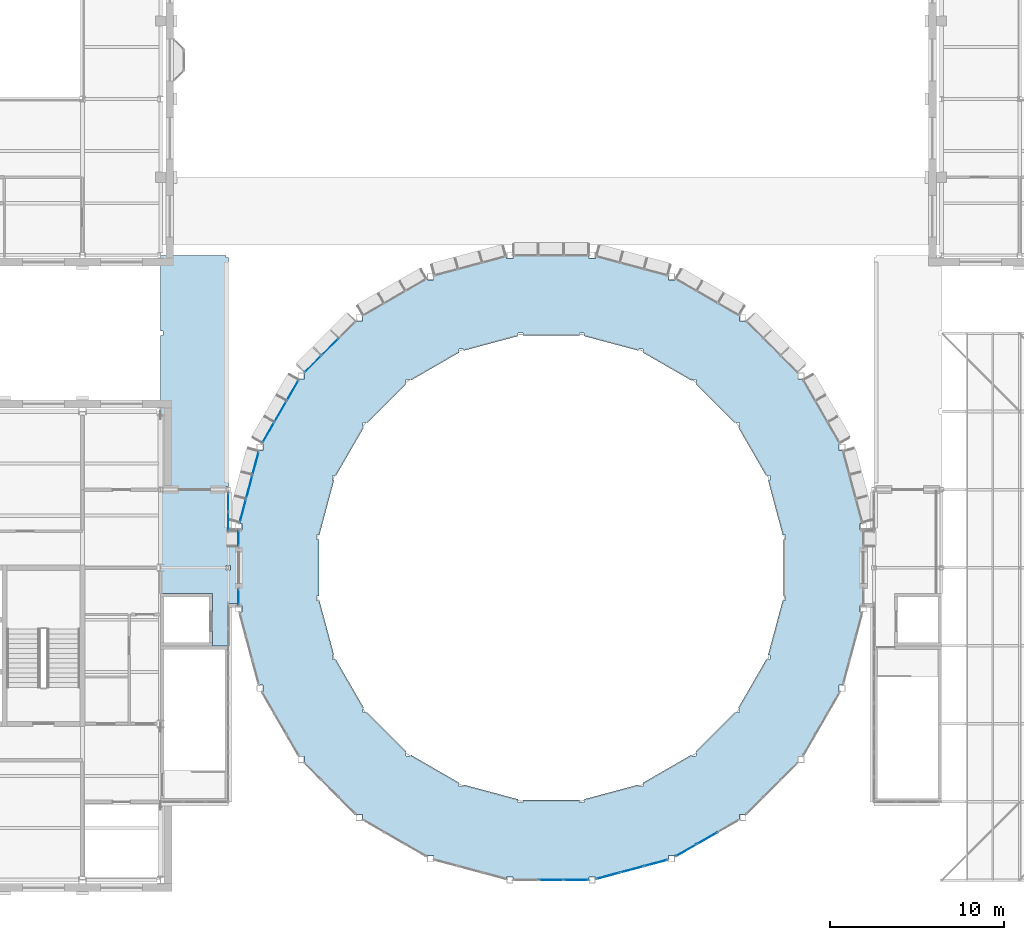
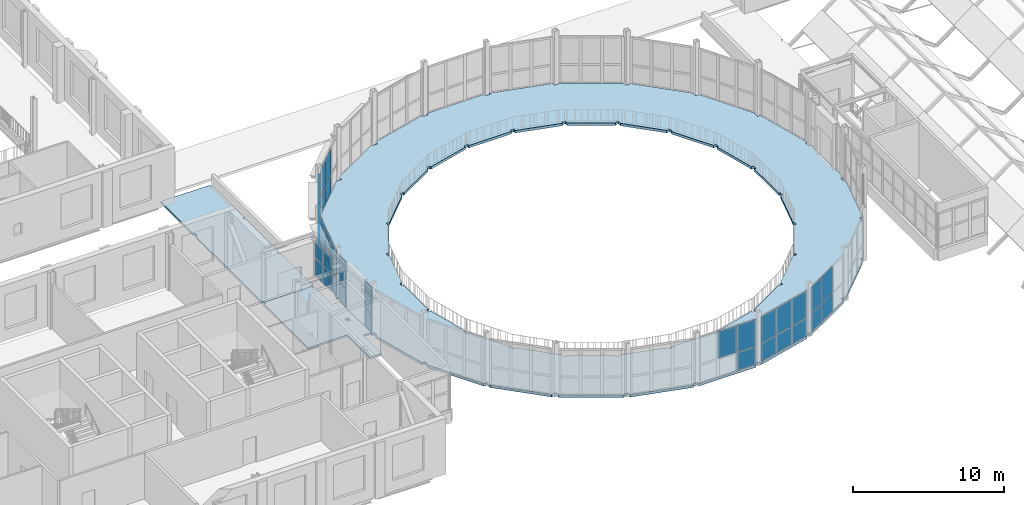
# One storey, part 31 of 74: 37 plates, 3 slabs, 9 elements without a shape of their own.
"""IFC4 building model written with IfcOpenShell, lengths in metres."""

import ifcopenshell
import ifcopenshell.guid

model = None  # the IFC model being written
_history = None  # IfcOwnerHistory: only IFC2X3 demands one
_inside = {}  # id of a spatial element -> (the spatial element, [elements in it])
_under = {}  # id of a project, library or spatial element -> (it, [spatial elements below it])
_declared = {}  # id of a project -> (the project, [libraries it declares])
_typed = {}  # id of a type object -> (the type object, [elements of that type])
_made_of = {}  # id of a material, layer set ... -> (it, [elements and type objects made of it])


def new_model(schema):
    """Start an empty IFC model of exactly this schema.

    Asked for "IFC4X3", IfcOpenShell would pick the latest addendum, in which some entities
    have other attributes; the version numbers below select the first issue.
    IFC2X3 requires an IfcOwnerHistory on every rooted entity: one is made here for all.
    """
    global model, _history
    if schema == "IFC4X3":
        model = ifcopenshell.file(schema_version=(4, 3, 0, 0))
    else:
        model = ifcopenshell.file(schema=schema)
    _inside.clear()
    _under.clear()
    _declared.clear()
    _typed.clear()
    _made_of.clear()
    _history = None
    if model.schema == "IFC2X3":
        org = make("IfcOrganization", Name="unknown")
        user = make(
            "IfcPersonAndOrganization",
            ThePerson=make("IfcPerson", FamilyName="unknown"),
            TheOrganization=org,
        )
        app = make(
            "IfcApplication",
            ApplicationDeveloper=org,
            Version="unknown",
            ApplicationFullName="unknown",
            ApplicationIdentifier="unknown",
        )
        _history = make(
            "IfcOwnerHistory",
            OwningUser=user,
            OwningApplication=app,
            ChangeAction="ADDED",
            CreationDate=0,
        )
    return model


def make(cls, **values):
    """One entity of the class cls with the attributes given. An attribute that is None is left unset."""
    return model.create_entity(
        cls, **{name: value for name, value in values.items() if value is not None}
    )


def rooted(cls, **values):
    """An entity with a GlobalId (a new one), such as an element, a storey or a relation."""
    return make(cls, GlobalId=ifcopenshell.guid.new(), OwnerHistory=_history, **values)


def si_unit(unit_type, name, prefix=None):
    """IfcSIUnit, for example si_unit("LENGTHUNIT", "METRE", prefix="MILLI")."""
    return make("IfcSIUnit", UnitType=unit_type, Prefix=prefix, Name=name)


def assignment(units):
    """IfcUnitAssignment: the units of a project."""
    return None if units is None else make("IfcUnitAssignment", Units=units)


def point(xyz):
    """IfcCartesianPoint."""
    return None if xyz is None else make("IfcCartesianPoint", Coordinates=xyz)


def direction(xyz):
    """IfcDirection."""
    return None if xyz is None else make("IfcDirection", DirectionRatios=xyz)


def frame(location, z_axis=None, x_axis=None):
    """IfcAxis2Placement3D, a coordinate frame: its origin and axes. An axis left out is left unset."""
    return make(
        "IfcAxis2Placement3D",
        Location=point(location),
        Axis=direction(z_axis),
        RefDirection=direction(x_axis),
    )


def frame_2d(location, x_axis=None):
    """IfcAxis2Placement2D, a coordinate frame in the plane: its origin and x axis."""
    return make(
        "IfcAxis2Placement2D", Location=point(location), RefDirection=direction(x_axis)
    )


def origin():
    """The frame at (0, 0, 0) with its axes left unset."""
    return frame((0.0, 0.0, 0.0))


def origin_2d():
    """The frame at (0, 0) in the plane with its x axis left unset."""
    return frame_2d((0.0, 0.0))


def place(relative_to, where):
    """IfcLocalPlacement: puts the frame where relative to a parent placement (None: the world)."""
    return make(
        "IfcLocalPlacement", PlacementRelTo=relative_to, RelativePlacement=where
    )


def context(
    kind, dimensions, precision=None, world=None, true_north=None, identifier=None
):
    """IfcGeometricRepresentationContext, for example the 3D "Model" context."""
    return make(
        "IfcGeometricRepresentationContext",
        ContextIdentifier=identifier,
        ContextType=kind,
        CoordinateSpaceDimension=dimensions,
        Precision=precision,
        WorldCoordinateSystem=world,
        TrueNorth=true_north,
    )


def subcontext(parent, identifier, kind, view, scale=None):
    """IfcGeometricRepresentationSubContext, for example "Body" below "Model"."""
    return make(
        "IfcGeometricRepresentationSubContext",
        ContextIdentifier=identifier,
        ContextType=kind,
        ParentContext=parent,
        TargetScale=scale,
        TargetView=view,
    )


def project(units=None, contexts=None):
    """IfcProject with its units and contexts."""
    return rooted(
        "IfcProject",
        Name="project",
        RepresentationContexts=contexts,
        UnitsInContext=assignment(units),
    )


def spatial(cls, under=None, at=None, **own):
    """A site, building, storey or space (cls), placed at a placement, below another one or the project."""
    s = rooted(cls, ObjectPlacement=at, **own)
    if under is not None:
        _under.setdefault(under.id(), (under, []))[1].append(s)
    return s


def polyline(points):
    """IfcPolyline through the points."""
    return make("IfcPolyline", Points=[point(p) for p in points])


def profile(cls, at=None, kind="AREA", **sizes):
    """A parametric profile (cls). Its sizes go by their IFC names, for example OverallWidth=200.0."""
    return make(cls, ProfileType=kind, Position=at, **sizes)


def rectangle(**sizes):
    """IfcRectangleProfileDef."""
    return profile("IfcRectangleProfileDef", **sizes)


def outline(outer, holes=None, kind="AREA"):
    """IfcArbitraryClosedProfileDef: a profile drawn as a closed curve; with holes, ...WithVoids."""
    if holes is None:
        return make("IfcArbitraryClosedProfileDef", ProfileType=kind, OuterCurve=outer)
    return make(
        "IfcArbitraryProfileDefWithVoids",
        ProfileType=kind,
        OuterCurve=outer,
        InnerCurves=holes,
    )


def extrude(swept, where, along, depth):
    """IfcExtrudedAreaSolid: the profile swept, set in the frame where, extruded along a direction by depth."""
    return make(
        "IfcExtrudedAreaSolid",
        SweptArea=swept,
        Position=where,
        ExtrudedDirection=direction(along),
        Depth=depth,
    )


def shape(context_of_items, identifier, shape_type, items):
    """IfcShapeRepresentation: the items that make up one representation, for example the "Body"."""
    return make(
        "IfcShapeRepresentation",
        ContextOfItems=context_of_items,
        RepresentationIdentifier=identifier,
        RepresentationType=shape_type,
        Items=items,
    )


def material(Name=None, Category=None):
    """IfcMaterial."""
    return make("IfcMaterial", Name=Name, Category=Category)


def layer(
    of_material, thickness, ventilated=None, Name=None, Category=None, Priority=None
):
    """IfcMaterialLayer: one layer of a wall or slab, of a material (None: an air gap)."""
    return make(
        "IfcMaterialLayer",
        Material=of_material,
        LayerThickness=thickness,
        IsVentilated=ventilated,
        Name=Name,
        Category=Category,
        Priority=Priority,
    )


def layer_set(layers, Name=None):
    """IfcMaterialLayerSet."""
    return make("IfcMaterialLayerSet", MaterialLayers=layers, LayerSetName=Name)


def made_of(thing, what):
    """Note that an element or type object is made of a material, layer set ...; save() writes the relation."""
    if what is not None:
        _made_of.setdefault(what.id(), (what, []))[1].append(thing)
    return thing


def type_object(cls, material=None, **own):
    """A type object (cls), such as IfcWallType, which elements share."""
    return made_of(rooted(cls, **own), material)


def element(
    cls,
    number,
    at=None,
    inside=None,
    cuts=None,
    type_object=None,
    material=None,
    context=None,
    identifier="Body",
    shape_type=None,
    held_by="IfcProductDefinitionShape",
    body=None,
    shapes=None,
    **own,
):
    """One element of the class cls, such as IfcWall. Its Tag is "e" and its number.

    at: its placement. inside: the storey or other place that contains it. cuts: it is an
    opening in that element (IfcRelVoidsElement). A single representation is given by context,
    identifier, shape_type and body (its items); several are given by shapes. held_by: the class
    of the entity that holds the representations. save() writes the other relations.
    """
    e = rooted(cls, Tag="e%d" % number, ObjectPlacement=at, **own)
    if body is not None:
        shapes = [shape(context, identifier, shape_type, body)]
    if shapes is not None:
        e.Representation = make(held_by, Representations=shapes)
    if inside is not None:
        _inside.setdefault(inside.id(), (inside, []))[1].append(e)
    if cuts is not None:
        rooted(
            "IfcRelVoidsElement", RelatingBuildingElement=cuts, RelatedOpeningElement=e
        )
    if type_object is not None:
        _typed.setdefault(type_object.id(), (type_object, []))[1].append(e)
    return made_of(e, material)


def aggregate(whole, parts):
    """IfcRelAggregates: a whole, such as a stair, and the parts it consists of."""
    return rooted("IfcRelAggregates", RelatingObject=whole, RelatedObjects=parts)


def save(model, path):
    """Write the relations noted so far, then the file.

    IfcRelAggregates (storeys below a building ...), IfcRelContainedInSpatialStructure (elements
    in a storey), IfcRelDefinesByType, IfcRelAssociatesMaterial and IfcRelDeclares: one each for
    every whole, place, type object, material and project.
    """
    for whole, parts in _under.values():
        aggregate(whole, parts)
    for where, things in _inside.values():
        rooted(
            "IfcRelContainedInSpatialStructure",
            RelatedElements=things,
            RelatingStructure=where,
        )
    for kind, things in _typed.values():
        rooted("IfcRelDefinesByType", RelatedObjects=things, RelatingType=kind)
    for what, things in _made_of.values():
        rooted("IfcRelAssociatesMaterial", RelatedObjects=things, RelatingMaterial=what)
    for by, libraries in _declared.values():
        rooted("IfcRelDeclares", RelatingContext=by, RelatedDefinitions=libraries)
    model.write(path)


model = new_model("IFC4")

# Units and contexts
model_context = context("Model", 3, precision=1e-05, world=origin(), true_north=direction((0.0, 1.0)))
body_context = subcontext(model_context, "Body", "Model", "MODEL_VIEW")
ifc_project = project(units=[si_unit("LENGTHUNIT", "METRE"), si_unit("AREAUNIT", "SQUARE_METRE"), si_unit("VOLUMEUNIT", "CUBIC_METRE"), si_unit("PLANEANGLEUNIT", "RADIAN"), si_unit("MASSUNIT", "GRAM", prefix="KILO")], contexts=[model_context])

# Site, building, storey
site_placement = place(None, origin())
site = spatial("IfcSite", under=ifc_project, at=site_placement, CompositionType="ELEMENT")
building_placement = place(site_placement, origin())
building = spatial("IfcBuilding", under=site, at=building_placement, Name="Hortulan Conservatory and Botanical Research Centre", CompositionType="ELEMENT")
storey_placement = place(building_placement, frame((0.0, 0.0, 6.0)))
storey = spatial("IfcBuildingStorey", under=building, at=storey_placement, Name="L01", CompositionType="ELEMENT", Elevation=6.0)

# Slabs
ifc_material_1 = material(Name="Concrete N40 (40 MPa, AS 3600)", Category="concrete")
ifc_layer_1 = layer(ifc_material_1, 0.199951171875)
ifc_layer_set_1 = layer_set([ifc_layer_1], Name="Dome Canopy Walk Slab 200")
slab_type_1 = type_object("IfcSlabType", Name="Dome Canopy Walk Slab 200", PredefinedType="FLOOR", material=ifc_layer_set_1)
slab_1_placement = place(storey_placement, frame((0.0, 0.0, -0.199951171875)))
element("IfcSlab", 1, at=slab_1_placement, inside=storey, type_object=slab_type_1, Name="Canopy walk slab 1", PredefinedType="FLOOR", context=body_context, shape_type="SweptSolid", body=[
    extrude(outline(polyline([(70.822998046875, 11.2373046875), (70.58837890625, 11.2373046875), (70.58837890625, 10.8671875), (70.66650390625, 10.8671875), (68.510498046875, 7.1328125), (68.218505859375, 7.1328125), (68.218505859375, 6.7626953125), (65.2373046875, 3.781494140625), (64.8671875, 3.781494140625), (64.8671875, 3.489501953125), (61.1328125, 1.33349609375), (61.1328125, 1.41162109375), (60.7626953125, 1.41162109375), (60.7626953125, 1.177001953125), (56.5546875, 0.049560546875), (56.5546875, 0.18505859375), (56.184814453125, 0.18505859375), (56.184814453125, 0.0), (51.815185546875, 0.0), (51.815185546875, 0.18505859375), (51.4453125, 0.18505859375), (51.4453125, 0.049560546875), (47.2373046875, 1.177001953125), (47.2373046875, 1.41162109375), (46.8671875, 1.41162109375), (46.8671875, 1.33349609375), (43.1328125, 3.489501953125), (43.1328125, 3.781494140625), (42.7626953125, 3.781494140625), (42.7626953125, 3.781494140625), (39.781494140625, 6.7626953125), (39.781494140625, 7.1328125), (39.489501953125, 7.1328125), (37.33349609375, 10.8671875), (37.41162109375, 10.8671875), (37.41162109375, 11.2373046875), (37.177001953125, 11.2373046875), (36.049560546875, 15.4453125), (36.18505859375, 15.4453125), (36.18505859375, 15.815185546875), (36.0, 15.815185546875), (36.0, 20.184814453125), (36.18505859375, 20.184814453125), (36.18505859375, 20.5546875), (36.049560546875, 20.5546875), (37.177001953125, 24.7626953125), (37.41162109375, 24.7626953125), (37.41162109375, 25.1328125), (37.33349609375, 25.1328125), (39.489501953125, 28.8671875), (39.781494140625, 28.8671875), (39.781494140625, 29.2373046875), (42.7626953125, 32.218505859375), (43.1328125, 32.218505859375), (43.1328125, 32.510498046875), (46.8671875, 34.66650390625), (46.8671875, 34.58837890625), (47.2373046875, 34.58837890625), (47.2373046875, 34.822998046875), (51.4453125, 35.950439453125), (51.4453125, 35.81494140625), (51.815185546875, 35.81494140625), (51.815185546875, 36.0), (56.184814453125, 36.0), (56.184814453125, 35.81494140625), (56.5546875, 35.81494140625), (56.5546875, 35.950439453125), (60.7626953125, 34.822998046875), (60.7626953125, 34.58837890625), (61.1328125, 34.58837890625), (61.1328125, 34.66650390625), (64.8671875, 32.510498046875), (64.8671875, 32.218505859375), (65.2373046875, 32.218505859375), (68.218505859375, 29.2373046875), (68.218505859375, 28.8671875), (68.510498046875, 28.8671875), (70.66650390625, 25.1328125), (70.58837890625, 25.1328125), (70.58837890625, 24.7626953125), (70.822998046875, 24.7626953125), (71.950439453125, 20.5546875), (71.81494140625, 20.5546875), (71.81494140625, 20.184814453125), (72.0, 20.184814453125), (72.0, 15.815185546875), (71.81494140625, 15.815185546875), (71.81494140625, 15.4453125), (71.950439453125, 15.4453125), (70.822998046875, 11.2373046875)]), holes=[polyline([(64.7880859375, 26.083251953125), (64.84521484375, 26.083251953125), (64.84521484375, 26.353271484375), (64.5751953125, 26.353271484375), (62.353271484375, 28.5751953125), (62.353271484375, 28.84521484375), (62.083251953125, 28.84521484375), (62.083251953125, 28.7880859375), (59.30126953125, 30.39453125), (59.30126953125, 30.607421875), (59.03125, 30.607421875), (59.03125, 30.508544921875), (55.897216796875, 31.348388671875), (55.897216796875, 31.51953125), (55.627197265625, 31.51953125), (55.627197265625, 31.384521484375), (52.372802734375, 31.384521484375), (52.372802734375, 31.51953125), (52.102783203125, 31.51953125), (52.102783203125, 31.348388671875), (48.96875, 30.508544921875), (48.96875, 30.607421875), (48.69873046875, 30.607421875), (48.69873046875, 30.39453125), (45.916748046875, 28.7880859375), (45.916748046875, 28.84521484375), (45.646728515625, 28.84521484375), (45.646728515625, 28.5751953125), (43.4248046875, 26.353271484375), (43.4248046875, 26.353271484375), (43.15478515625, 26.353271484375), (43.15478515625, 26.083251953125), (43.2119140625, 26.083251953125), (41.60546875, 23.30126953125), (41.392578125, 23.30126953125), (41.392578125, 23.03125), (41.491455078125, 23.03125), (40.651611328125, 19.897216796875), (40.48046875, 19.897216796875), (40.48046875, 19.627197265625), (40.615478515625, 19.627197265625), (40.615478515625, 16.372802734375), (40.48046875, 16.372802734375), (40.48046875, 16.102783203125), (40.651611328125, 16.102783203125), (41.491455078125, 12.96875), (41.392578125, 12.96875), (41.392578125, 12.69873046875), (41.60546875, 12.69873046875), (43.2119140625, 9.916748046875), (43.15478515625, 9.916748046875), (43.15478515625, 9.646728515625), (43.4248046875, 9.646728515625), (43.4248046875, 9.646728515625), (45.646728515625, 7.4248046875), (45.646728515625, 7.15478515625), (45.916748046875, 7.15478515625), (45.916748046875, 7.2119140625), (48.69873046875, 5.60546875), (48.69873046875, 5.392578125), (48.96875, 5.392578125), (48.96875, 5.491455078125), (52.102783203125, 4.651611328125), (52.102783203125, 4.48046875), (52.372802734375, 4.48046875), (52.372802734375, 4.615478515625), (55.627197265625, 4.615478515625), (55.627197265625, 4.48046875), (55.897216796875, 4.48046875), (55.897216796875, 4.651611328125), (59.03125, 5.491455078125), (59.03125, 5.392578125), (59.30126953125, 5.392578125), (59.30126953125, 5.60546875), (62.083251953125, 7.2119140625), (62.083251953125, 7.15478515625), (62.353271484375, 7.15478515625), (62.353271484375, 7.4248046875), (64.5751953125, 9.646728515625), (64.84521484375, 9.646728515625), (64.84521484375, 9.916748046875), (64.7880859375, 9.916748046875), (66.39453125, 12.69873046875), (66.607421875, 12.69873046875), (66.607421875, 12.96875), (66.508544921875, 12.96875), (67.348388671875, 16.102783203125), (67.51953125, 16.102783203125), (67.51953125, 16.372802734375), (67.384521484375, 16.372802734375), (67.384521484375, 19.627197265625), (67.51953125, 19.627197265625), (67.51953125, 19.897216796875), (67.348388671875, 19.897216796875), (66.508544921875, 23.03125), (66.607421875, 23.03125), (66.607421875, 23.30126953125), (66.39453125, 23.30126953125), (64.7880859375, 26.083251953125)])]), origin(), (0.0, 0.0, 1.0), 0.199951171875),
])
ifc_layer_2 = layer(ifc_material_1, 0.14990234375)
ifc_layer_set_2 = layer_set([ifc_layer_2], Name="Head Link Floor Slab 150")
slab_type_2 = type_object("IfcSlabType", Name="Head Link Floor Slab 150", PredefinedType="FLOOR", material=ifc_layer_set_2)
slab_2_placement = place(storey_placement, frame((0.0, 0.0, -0.14990234375)))
element("IfcSlab", 2, at=slab_2_placement, inside=storey, type_object=slab_type_2, Name="HW floor slab 1", PredefinedType="FLOOR", context=body_context, shape_type="SweptSolid", body=[
    extrude(outline(polyline([(35.39990234375, 20.069580078125), (36.0, 20.069580078125), (36.0, 15.930419921875), (35.39990234375, 15.930419921875), (35.39990234375, 13.5), (34.5, 13.5), (34.5, 16.5), (31.5, 16.5), (31.5, 22.364990234375), (31.635009765625, 22.364990234375), (31.635009765625, 22.5), (35.264892578125, 22.5), (35.264892578125, 22.364990234375), (35.39990234375, 22.364990234375), (35.39990234375, 20.069580078125)]), holes=[polyline([(35.264892578125, 17.864990234375), (35.534912109375, 17.864990234375), (35.534912109375, 18.135009765625), (35.264892578125, 18.135009765625), (35.264892578125, 17.864990234375)])]), origin(), (0.0, 0.0, 1.0), 0.14990234375),
])
ifc_layer_3 = layer(ifc_material_1, 0.14990234375)
ifc_layer_set_3 = layer_set([ifc_layer_3], Name="Head Link Roof Slab 150")
slab_type_3 = type_object("IfcSlabType", Name="Head Link Roof Slab 150", PredefinedType="ROOF", material=ifc_layer_set_3)
slab_3_placement = place(storey_placement, frame((0.0, 0.0, -0.14990234375)))
element("IfcSlab", 3, at=slab_3_placement, inside=storey, type_object=slab_type_3, Name="HW passage roof slab 1", PredefinedType="ROOF", context=body_context, shape_type="SweptSolid", body=[
    extrude(outline(polyline([(35.39990234375, 22.635009765625), (35.264892578125, 22.635009765625), (35.264892578125, 22.5), (31.635009765625, 22.5), (31.635009765625, 22.635009765625), (31.5, 22.635009765625), (31.5, 31.364990234375), (31.635009765625, 31.364990234375), (31.635009765625, 31.635009765625), (31.5, 31.635009765625), (31.5, 36.0), (35.264892578125, 36.0), (35.264892578125, 35.864990234375), (35.39990234375, 35.864990234375), (35.39990234375, 31.635009765625), (35.264892578125, 31.635009765625), (35.264892578125, 31.364990234375), (35.39990234375, 31.364990234375), (35.39990234375, 27.135009765625), (35.264892578125, 27.135009765625), (35.264892578125, 26.864990234375), (35.39990234375, 26.864990234375), (35.39990234375, 22.635009765625)])), origin(), (0.0, 0.0, 1.0), 0.14990234375),
])

# Curtain wall, plates
ifc_material_2 = material(Name="Bronze-finished aluminium", Category="aluminium")
ifc_layer_4 = layer(ifc_material_2, 0.10009765625)
ifc_layer_set_4 = layer_set([ifc_layer_4], Name="Bronze-framed Curtain Wall 1500 module")
curtain_wall_type = type_object("IfcCurtainWallType", Name="Bronze-framed Curtain Wall 1500 module", PredefinedType="NOTDEFINED", material=ifc_layer_set_4)
curtain_wall_1_placement = place(storey_placement, origin())
curtain_wall_1 = element("IfcCurtainWall", 4, at=curtain_wall_1_placement, inside=storey, type_object=curtain_wall_type, Name="Curtain wall", PredefinedType="NOTDEFINED")
ifc_material_3 = material(Name="Low-e laminated glass", Category="glass")
ifc_layer_5 = layer(ifc_material_3, 0.028076171875)
ifc_layer_set_5 = layer_set([ifc_layer_5], Name="Laminated Glass Panel 28")
plate_type = type_object("IfcPlateType", Name="Laminated Glass Panel 28", PredefinedType="CURTAIN_PANEL", material=ifc_layer_set_5)
plate_1_placement = place(storey_placement, frame((40.281982421875, 29.73779296875, 0.06005859375), z_axis=(0.0, 0.0, 1.0), x_axis=(0.707095004018, 0.707118558159, 0.0)))
plate_1 = element("IfcPlate", 5, at=plate_1_placement, type_object=plate_type, Name="CW1 panel 1.1", PredefinedType="CURTAIN_PANEL", context=body_context, shape_type="SweptSolid", body=[
    extrude(rectangle(XDim=1.3251953125, YDim=0.028076171875, at=origin_2d()), origin(), (0.0, 0.0, 1.0), 1.409912109375),
])
plate_2_placement = place(storey_placement, frame((40.281982421875, 29.73779296875, 1.5302734375), z_axis=(0.0, 0.0, 1.0), x_axis=(0.707095004018, 0.707118558159, 0.0)))
plate_2 = element("IfcPlate", 6, at=plate_2_placement, type_object=plate_type, Name="CW1 panel 1.2", PredefinedType="CURTAIN_PANEL", context=body_context, shape_type="SweptSolid", body=[
    extrude(rectangle(XDim=1.3251953125, YDim=0.028076171875, at=origin_2d()), origin(), (0.0, 0.0, 1.0), 2.159912109375),
])
plate_3_placement = place(storey_placement, frame((41.272216796875, 30.72802734375, 0.06005859375), z_axis=(0.0, 0.0, 1.0), x_axis=(0.707095004018, 0.707118558159, 0.0)))
plate_3 = element("IfcPlate", 7, at=plate_3_placement, type_object=plate_type, Name="CW1 panel 2.1", PredefinedType="CURTAIN_PANEL", context=body_context, shape_type="SweptSolid", body=[
    extrude(rectangle(XDim=1.355224609375, YDim=0.028076171875, at=origin_2d()), origin(), (0.0, 0.0, 1.0), 1.409912109375),
])
plate_4_placement = place(storey_placement, frame((41.272216796875, 30.72802734375, 1.5302734375), z_axis=(0.0, 0.0, 1.0), x_axis=(0.707095004018, 0.707118558159, 0.0)))
plate_4 = element("IfcPlate", 8, at=plate_4_placement, type_object=plate_type, Name="CW1 panel 2.2", PredefinedType="CURTAIN_PANEL", context=body_context, shape_type="SweptSolid", body=[
    extrude(rectangle(XDim=1.355224609375, YDim=0.028076171875, at=origin_2d()), origin(), (0.0, 0.0, 1.0), 2.159912109375),
])
aggregate(curtain_wall_1, [plate_1, plate_2, plate_3, plate_4])

curtain_wall_2_placement = place(storey_placement, origin())
curtain_wall_2 = element("IfcCurtainWall", 9, at=curtain_wall_2_placement, inside=storey, type_object=curtain_wall_type, Name="Curtain wall", PredefinedType="NOTDEFINED")
plate_5_placement = place(storey_placement, frame((37.708984375, 25.782958984375, 0.06005859375), z_axis=(0.0, 0.0, 1.0), x_axis=(0.499981160235, 0.866036280655, 0.0)))
plate_5 = element("IfcPlate", 10, at=plate_5_placement, type_object=plate_type, Name="CW1 panel 1.1", PredefinedType="CURTAIN_PANEL", context=body_context, shape_type="SweptSolid", body=[
    extrude(rectangle(XDim=1.330078125, YDim=0.028076171875, at=origin_2d()), origin(), (0.0, 0.0, 1.0), 1.409912109375),
])
plate_6_placement = place(storey_placement, frame((37.708984375, 25.782958984375, 1.5302734375), z_axis=(0.0, 0.0, 1.0), x_axis=(0.499981160235, 0.866036280655, 0.0)))
plate_6 = element("IfcPlate", 11, at=plate_6_placement, type_object=plate_type, Name="CW1 panel 1.2", PredefinedType="CURTAIN_PANEL", context=body_context, shape_type="SweptSolid", body=[
    extrude(rectangle(XDim=1.330078125, YDim=0.028076171875, at=origin_2d()), origin(), (0.0, 0.0, 1.0), 2.159912109375),
])
plate_7_placement = place(storey_placement, frame((38.41162109375, 27.0, 0.06005859375), z_axis=(0.0, 0.0, 1.0), x_axis=(0.499981160235, 0.866036280655, 0.0)))
plate_7 = element("IfcPlate", 12, at=plate_7_placement, type_object=plate_type, Name="CW1 panel 2.1", PredefinedType="CURTAIN_PANEL", context=body_context, shape_type="SweptSolid", body=[
    extrude(rectangle(XDim=1.360107421875, YDim=0.028076171875, at=origin_2d()), origin(), (0.0, 0.0, 1.0), 1.409912109375),
])
plate_8_placement = place(storey_placement, frame((38.41162109375, 27.0, 1.5302734375), z_axis=(0.0, 0.0, 1.0), x_axis=(0.499981160235, 0.866036280655, 0.0)))
plate_8 = element("IfcPlate", 13, at=plate_8_placement, type_object=plate_type, Name="CW1 panel 2.2", PredefinedType="CURTAIN_PANEL", context=body_context, shape_type="SweptSolid", body=[
    extrude(rectangle(XDim=1.360107421875, YDim=0.028076171875, at=origin_2d()), origin(), (0.0, 0.0, 1.0), 2.159912109375),
])
plate_9_placement = place(storey_placement, frame((39.114013671875, 28.217041015625, 0.06005859375), z_axis=(0.0, 0.0, 1.0), x_axis=(0.499981160235, 0.866036280655, 0.0)))
plate_9 = element("IfcPlate", 14, at=plate_9_placement, type_object=plate_type, Name="CW1 panel 3.1", PredefinedType="CURTAIN_PANEL", context=body_context, shape_type="SweptSolid", body=[
    extrude(rectangle(XDim=1.330078125, YDim=0.028076171875, at=origin_2d()), origin(), (0.0, 0.0, 1.0), 1.409912109375),
])
plate_10_placement = place(storey_placement, frame((39.114013671875, 28.217041015625, 1.5302734375), z_axis=(0.0, 0.0, 1.0), x_axis=(0.499981160235, 0.866036280655, 0.0)))
plate_10 = element("IfcPlate", 15, at=plate_10_placement, type_object=plate_type, Name="CW1 panel 3.2", PredefinedType="CURTAIN_PANEL", context=body_context, shape_type="SweptSolid", body=[
    extrude(rectangle(XDim=1.330078125, YDim=0.028076171875, at=origin_2d()), origin(), (0.0, 0.0, 1.0), 2.159912109375),
])
aggregate(curtain_wall_2, [plate_5, plate_6, plate_7, plate_8, plate_9, plate_10])

curtain_wall_3_placement = place(storey_placement, origin())
curtain_wall_3 = element("IfcCurtainWall", 16, at=curtain_wall_3_placement, inside=storey, type_object=curtain_wall_type, Name="Curtain wall", PredefinedType="NOTDEFINED")
plate_11_placement = place(storey_placement, frame((36.245361328125, 21.285400390625, 0.06005859375), z_axis=(0.0, 0.0, 1.0), x_axis=(0.258831936284, 0.965922372015, 0.0)))
plate_11 = element("IfcPlate", 17, at=plate_11_placement, type_object=plate_type, Name="CW1 panel 1.1", PredefinedType="CURTAIN_PANEL", context=body_context, shape_type="SweptSolid", body=[
    extrude(rectangle(XDim=1.346923828125, YDim=0.028076171875, at=origin_2d()), origin(), (0.0, 0.0, 1.0), 1.409912109375),
])
plate_12_placement = place(storey_placement, frame((36.245361328125, 21.285400390625, 1.5302734375), z_axis=(0.0, 0.0, 1.0), x_axis=(0.258831936284, 0.965922372015, 0.0)))
plate_12 = element("IfcPlate", 18, at=plate_12_placement, type_object=plate_type, Name="CW1 panel 1.2", PredefinedType="CURTAIN_PANEL", context=body_context, shape_type="SweptSolid", body=[
    extrude(rectangle(XDim=1.346923828125, YDim=0.028076171875, at=origin_2d()), origin(), (0.0, 0.0, 1.0), 2.159912109375),
])
plate_13_placement = place(storey_placement, frame((36.61328125, 22.658935546875, 0.06005859375), z_axis=(0.0, 0.0, 1.0), x_axis=(0.258831936284, 0.965922372015, 0.0)))
plate_13 = element("IfcPlate", 19, at=plate_13_placement, type_object=plate_type, Name="CW1 panel 2.1", PredefinedType="CURTAIN_PANEL", context=body_context, shape_type="SweptSolid", body=[
    extrude(rectangle(XDim=1.376953125, YDim=0.028076171875, at=origin_2d()), origin(), (0.0, 0.0, 1.0), 1.409912109375),
])
plate_14_placement = place(storey_placement, frame((36.61328125, 22.658935546875, 1.5302734375), z_axis=(0.0, 0.0, 1.0), x_axis=(0.258831936284, 0.965922372015, 0.0)))
plate_14 = element("IfcPlate", 20, at=plate_14_placement, type_object=plate_type, Name="CW1 panel 2.2", PredefinedType="CURTAIN_PANEL", context=body_context, shape_type="SweptSolid", body=[
    extrude(rectangle(XDim=1.376953125, YDim=0.028076171875, at=origin_2d()), origin(), (0.0, 0.0, 1.0), 2.159912109375),
])
plate_15_placement = place(storey_placement, frame((36.9814453125, 24.032470703125, 0.06005859375), z_axis=(0.0, 0.0, 1.0), x_axis=(0.258831936284, 0.965922372015, 0.0)))
plate_15 = element("IfcPlate", 21, at=plate_15_placement, type_object=plate_type, Name="CW1 panel 3.1", PredefinedType="CURTAIN_PANEL", context=body_context, shape_type="SweptSolid", body=[
    extrude(rectangle(XDim=1.346923828125, YDim=0.028076171875, at=origin_2d()), origin(), (0.0, 0.0, 1.0), 1.409912109375),
])
plate_16_placement = place(storey_placement, frame((36.9814453125, 24.032470703125, 1.5302734375), z_axis=(0.0, 0.0, 1.0), x_axis=(0.258831936284, 0.965922372015, 0.0)))
plate_16 = element("IfcPlate", 22, at=plate_16_placement, type_object=plate_type, Name="CW1 panel 3.2", PredefinedType="CURTAIN_PANEL", context=body_context, shape_type="SweptSolid", body=[
    extrude(rectangle(XDim=1.346923828125, YDim=0.028076171875, at=origin_2d()), origin(), (0.0, 0.0, 1.0), 2.159912109375),
])
aggregate(curtain_wall_3, [plate_11, plate_12, plate_13, plate_14, plate_15, plate_16])

curtain_wall_4_placement = place(storey_placement, origin())
curtain_wall_4 = element("IfcCurtainWall", 23, at=curtain_wall_4_placement, inside=storey, type_object=curtain_wall_type, Name="Curtain wall", PredefinedType="NOTDEFINED")
plate_17_placement = place(storey_placement, frame((36.0, 16.302490234375, 0.06005859375), z_axis=(0.0, 0.0, 1.0), x_axis=(0.0, 1.0, 0.0)))
plate_17 = element("IfcPlate", 24, at=plate_17_placement, type_object=plate_type, Name="CW1 panel 1.1", PredefinedType="CURTAIN_PANEL", context=body_context, shape_type="SweptSolid", body=[
    extrude(rectangle(XDim=0.875, YDim=0.028076171875, at=origin_2d()), origin(), (0.0, 0.0, 1.0), 1.409912109375),
])
plate_18_placement = place(storey_placement, frame((36.0, 16.302490234375, 1.5302734375), z_axis=(0.0, 0.0, 1.0), x_axis=(0.0, 1.0, 0.0)))
plate_18 = element("IfcPlate", 25, at=plate_18_placement, type_object=plate_type, Name="CW1 panel 1.2", PredefinedType="CURTAIN_PANEL", context=body_context, shape_type="SweptSolid", body=[
    extrude(rectangle(XDim=0.875, YDim=0.028076171875, at=origin_2d()), origin(), (0.0, 0.0, 1.0), 2.159912109375),
])
aggregate(curtain_wall_4, [plate_17, plate_18])

curtain_wall_5_placement = place(storey_placement, origin())
curtain_wall_5 = element("IfcCurtainWall", 26, at=curtain_wall_5_placement, inside=storey, type_object=curtain_wall_type, Name="Curtain wall", PredefinedType="NOTDEFINED")
plate_19_placement = place(storey_placement, frame((36.0, 19.697509765625, 0.06005859375), z_axis=(0.0, 0.0, 1.0), x_axis=(0.0, 1.0, 0.0)))
plate_19 = element("IfcPlate", 27, at=plate_19_placement, type_object=plate_type, Name="CW1 panel 1.1", PredefinedType="CURTAIN_PANEL", context=body_context, shape_type="SweptSolid", body=[
    extrude(rectangle(XDim=0.875, YDim=0.028076171875, at=origin_2d()), origin(), (0.0, 0.0, 1.0), 1.409912109375),
])
plate_20_placement = place(storey_placement, frame((36.0, 19.697509765625, 1.5302734375), z_axis=(0.0, 0.0, 1.0), x_axis=(0.0, 1.0, 0.0)))
plate_20 = element("IfcPlate", 28, at=plate_20_placement, type_object=plate_type, Name="CW1 panel 1.2", PredefinedType="CURTAIN_PANEL", context=body_context, shape_type="SweptSolid", body=[
    extrude(rectangle(XDim=0.875, YDim=0.028076171875, at=origin_2d()), origin(), (0.0, 0.0, 1.0), 2.159912109375),
])
aggregate(curtain_wall_5, [plate_19, plate_20])

curtain_wall_6_placement = place(storey_placement, origin())
curtain_wall_6 = element("IfcCurtainWall", 29, at=curtain_wall_6_placement, inside=storey, type_object=curtain_wall_type, Name="Curtain wall", PredefinedType="NOTDEFINED")
plate_21_placement = place(storey_placement, frame((55.4482421875, 0.0, 0.06005859375), z_axis=(0.0, 0.0, 1.0), x_axis=(-1.0, 0.0, 0.0)))
plate_21 = element("IfcPlate", 30, at=plate_21_placement, type_object=plate_type, Name="CW1 panel 1.1", PredefinedType="CURTAIN_PANEL", context=body_context, shape_type="SweptSolid", body=[
    extrude(rectangle(XDim=1.373291015625, YDim=0.028076171875, at=origin_2d()), origin(), (0.0, 0.0, 1.0), 1.409912109375),
])
plate_22_placement = place(storey_placement, frame((55.4482421875, 0.0, 1.5302734375), z_axis=(0.0, 0.0, 1.0), x_axis=(-1.0, 0.0, 0.0)))
plate_22 = element("IfcPlate", 31, at=plate_22_placement, type_object=plate_type, Name="CW1 panel 1.2", PredefinedType="CURTAIN_PANEL", context=body_context, shape_type="SweptSolid", body=[
    extrude(rectangle(XDim=1.373291015625, YDim=0.028076171875, at=origin_2d()), origin(), (0.0, 0.0, 1.0), 2.159912109375),
])
plate_23_placement = place(storey_placement, frame((54.0, 0.0, 1.5302734375), z_axis=(0.0, 0.0, 1.0), x_axis=(-1.0, 0.0, 0.0)))
plate_23 = element("IfcPlate", 32, at=plate_23_placement, type_object=plate_type, Name="CW1 panel 2.2", PredefinedType="CURTAIN_PANEL", context=body_context, shape_type="SweptSolid", body=[
    extrude(rectangle(XDim=1.4033203125, YDim=0.028076171875, at=origin_2d()), origin(), (0.0, 0.0, 1.0), 2.159912109375),
])
aggregate(curtain_wall_6, [plate_21, plate_22, plate_23])

curtain_wall_7_placement = place(storey_placement, origin())
curtain_wall_7 = element("IfcCurtainWall", 33, at=curtain_wall_7_placement, inside=storey, type_object=curtain_wall_type, Name="Curtain wall", PredefinedType="NOTDEFINED")
plate_24_placement = place(storey_placement, frame((60.032470703125, 0.9814453125, 0.06005859375), z_axis=(0.0, 0.0, 1.0), x_axis=(-0.965922372015, -0.258831936284, 0.0)))
plate_24 = element("IfcPlate", 34, at=plate_24_placement, type_object=plate_type, Name="CW1 panel 1.1", PredefinedType="CURTAIN_PANEL", context=body_context, shape_type="SweptSolid", body=[
    extrude(rectangle(XDim=1.346923828125, YDim=0.028076171875, at=origin_2d()), origin(), (0.0, 0.0, 1.0), 1.409912109375),
])
plate_25_placement = place(storey_placement, frame((60.032470703125, 0.9814453125, 1.5302734375), z_axis=(0.0, 0.0, 1.0), x_axis=(-0.965922372015, -0.258831936284, 0.0)))
plate_25 = element("IfcPlate", 35, at=plate_25_placement, type_object=plate_type, Name="CW1 panel 1.2", PredefinedType="CURTAIN_PANEL", context=body_context, shape_type="SweptSolid", body=[
    extrude(rectangle(XDim=1.346923828125, YDim=0.028076171875, at=origin_2d()), origin(), (0.0, 0.0, 1.0), 2.159912109375),
])
plate_26_placement = place(storey_placement, frame((58.658935546875, 0.61328125, 0.06005859375), z_axis=(0.0, 0.0, 1.0), x_axis=(-0.965922372015, -0.258831936284, 0.0)))
plate_26 = element("IfcPlate", 36, at=plate_26_placement, type_object=plate_type, Name="CW1 panel 2.1", PredefinedType="CURTAIN_PANEL", context=body_context, shape_type="SweptSolid", body=[
    extrude(rectangle(XDim=1.376953125, YDim=0.028076171875, at=origin_2d()), origin(), (0.0, 0.0, 1.0), 1.409912109375),
])
plate_27_placement = place(storey_placement, frame((58.658935546875, 0.61328125, 1.5302734375), z_axis=(0.0, 0.0, 1.0), x_axis=(-0.965922372015, -0.258831936284, 0.0)))
plate_27 = element("IfcPlate", 37, at=plate_27_placement, type_object=plate_type, Name="CW1 panel 2.2", PredefinedType="CURTAIN_PANEL", context=body_context, shape_type="SweptSolid", body=[
    extrude(rectangle(XDim=1.376953125, YDim=0.028076171875, at=origin_2d()), origin(), (0.0, 0.0, 1.0), 2.159912109375),
])
plate_28_placement = place(storey_placement, frame((57.285400390625, 0.245361328125, 0.06005859375), z_axis=(0.0, 0.0, 1.0), x_axis=(-0.965922372015, -0.258831936284, 0.0)))
plate_28 = element("IfcPlate", 38, at=plate_28_placement, type_object=plate_type, Name="CW1 panel 3.1", PredefinedType="CURTAIN_PANEL", context=body_context, shape_type="SweptSolid", body=[
    extrude(rectangle(XDim=1.346923828125, YDim=0.028076171875, at=origin_2d()), origin(), (0.0, 0.0, 1.0), 1.409912109375),
])
plate_29_placement = place(storey_placement, frame((57.285400390625, 0.245361328125, 1.5302734375), z_axis=(0.0, 0.0, 1.0), x_axis=(-0.965922372015, -0.258831936284, 0.0)))
plate_29 = element("IfcPlate", 39, at=plate_29_placement, type_object=plate_type, Name="CW1 panel 3.2", PredefinedType="CURTAIN_PANEL", context=body_context, shape_type="SweptSolid", body=[
    extrude(rectangle(XDim=1.346923828125, YDim=0.028076171875, at=origin_2d()), origin(), (0.0, 0.0, 1.0), 2.159912109375),
])
aggregate(curtain_wall_7, [plate_24, plate_25, plate_26, plate_27, plate_28, plate_29])

curtain_wall_8_placement = place(storey_placement, origin())
curtain_wall_8 = element("IfcCurtainWall", 40, at=curtain_wall_8_placement, inside=storey, type_object=curtain_wall_type, Name="Curtain wall", PredefinedType="NOTDEFINED")
plate_30_placement = place(storey_placement, frame((63.0, 2.41162109375, 0.06005859375), z_axis=(0.0, 0.0, 1.0), x_axis=(-0.866036280655, -0.499981160235, 0.0)))
plate_30 = element("IfcPlate", 41, at=plate_30_placement, type_object=plate_type, Name="CW1 panel 2.1", PredefinedType="CURTAIN_PANEL", context=body_context, shape_type="SweptSolid", body=[
    extrude(rectangle(XDim=1.360107421875, YDim=0.028076171875, at=origin_2d()), origin(), (0.0, 0.0, 1.0), 1.409912109375),
])
plate_31_placement = place(storey_placement, frame((63.0, 2.41162109375, 1.5302734375), z_axis=(0.0, 0.0, 1.0), x_axis=(-0.866036280655, -0.499981160235, 0.0)))
plate_31 = element("IfcPlate", 42, at=plate_31_placement, type_object=plate_type, Name="CW1 panel 2.2", PredefinedType="CURTAIN_PANEL", context=body_context, shape_type="SweptSolid", body=[
    extrude(rectangle(XDim=1.360107421875, YDim=0.028076171875, at=origin_2d()), origin(), (0.0, 0.0, 1.0), 2.159912109375),
])
plate_32_placement = place(storey_placement, frame((61.782958984375, 1.708984375, 0.06005859375), z_axis=(0.0, 0.0, 1.0), x_axis=(-0.866036280655, -0.499981160235, 0.0)))
plate_32 = element("IfcPlate", 43, at=plate_32_placement, type_object=plate_type, Name="CW1 panel 3.1", PredefinedType="CURTAIN_PANEL", context=body_context, shape_type="SweptSolid", body=[
    extrude(rectangle(XDim=1.330078125, YDim=0.028076171875, at=origin_2d()), origin(), (0.0, 0.0, 1.0), 1.409912109375),
])
plate_33_placement = place(storey_placement, frame((61.782958984375, 1.708984375, 1.5302734375), z_axis=(0.0, 0.0, 1.0), x_axis=(-0.866036280655, -0.499981160235, 0.0)))
plate_33 = element("IfcPlate", 44, at=plate_33_placement, type_object=plate_type, Name="CW1 panel 3.2", PredefinedType="CURTAIN_PANEL", context=body_context, shape_type="SweptSolid", body=[
    extrude(rectangle(XDim=1.330078125, YDim=0.028076171875, at=origin_2d()), origin(), (0.0, 0.0, 1.0), 2.159912109375),
])
aggregate(curtain_wall_8, [plate_30, plate_31, plate_32, plate_33])

curtain_wall_9_placement = place(storey_placement, origin())
curtain_wall_9 = element("IfcCurtainWall", 45, at=curtain_wall_9_placement, inside=storey, type_object=curtain_wall_type, Name="Curtain wall", PredefinedType="NOTDEFINED")
plate_34_placement = place(storey_placement, frame((35.39990234375, 21.78369140625, 0.9599609375), z_axis=(0.0, 0.0, 1.0), x_axis=(0.0, -1.0, 0.0)))
plate_34 = element("IfcPlate", 46, at=plate_34_placement, type_object=plate_type, Name="CW1 panel 1.1", PredefinedType="CURTAIN_PANEL", context=body_context, shape_type="SweptSolid", body=[
    extrude(rectangle(XDim=1.062744140625, YDim=0.028076171875, at=origin_2d()), origin(), (0.0, 0.0, 1.0), 1.409912109375),
])
plate_35_placement = place(storey_placement, frame((35.39990234375, 21.78369140625, 2.429931640625), z_axis=(0.0, 0.0, 1.0), x_axis=(0.0, -1.0, 0.0)))
plate_35 = element("IfcPlate", 47, at=plate_35_placement, type_object=plate_type, Name="CW1 panel 1.2", PredefinedType="CURTAIN_PANEL", context=body_context, shape_type="SweptSolid", body=[
    extrude(rectangle(XDim=1.062744140625, YDim=0.028076171875, at=origin_2d()), origin(), (0.0, 0.0, 1.0), 1.25),
])
plate_36_placement = place(storey_placement, frame((35.39990234375, 20.6611328125, 0.9599609375), z_axis=(0.0, 0.0, 1.0), x_axis=(0.0, -1.0, 0.0)))
plate_36 = element("IfcPlate", 48, at=plate_36_placement, type_object=plate_type, Name="CW1 panel 2.1", PredefinedType="CURTAIN_PANEL", context=body_context, shape_type="SweptSolid", body=[
    extrude(rectangle(XDim=1.062744140625, YDim=0.028076171875, at=origin_2d()), origin(), (0.0, 0.0, 1.0), 1.409912109375),
])
plate_37_placement = place(storey_placement, frame((35.39990234375, 20.6611328125, 2.429931640625), z_axis=(0.0, 0.0, 1.0), x_axis=(0.0, -1.0, 0.0)))
plate_37 = element("IfcPlate", 49, at=plate_37_placement, type_object=plate_type, Name="CW1 panel 2.2", PredefinedType="CURTAIN_PANEL", context=body_context, shape_type="SweptSolid", body=[
    extrude(rectangle(XDim=1.062744140625, YDim=0.028076171875, at=origin_2d()), origin(), (0.0, 0.0, 1.0), 1.25),
])
aggregate(curtain_wall_9, [plate_34, plate_35, plate_36, plate_37])

save(model, "model.ifc")
